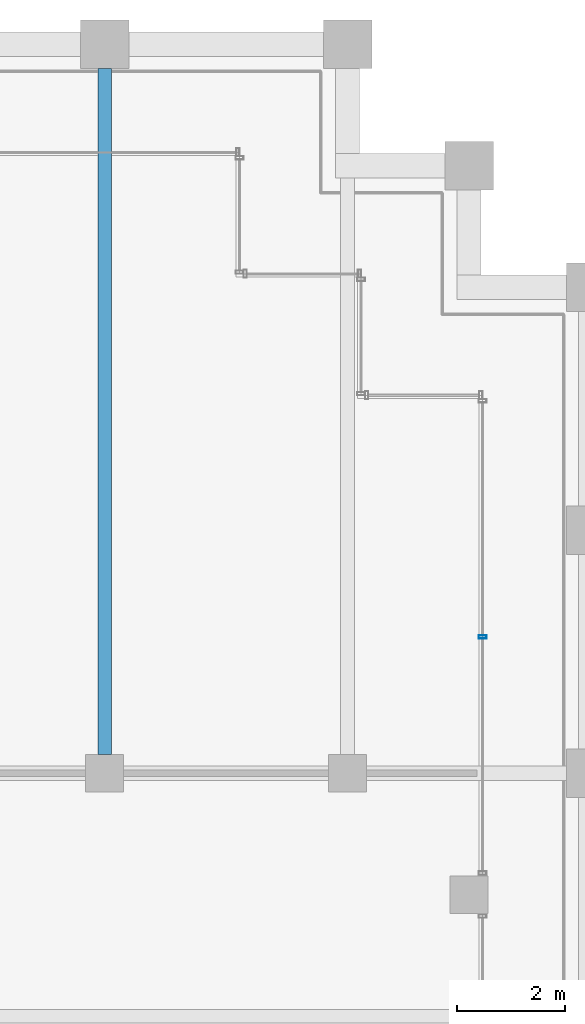
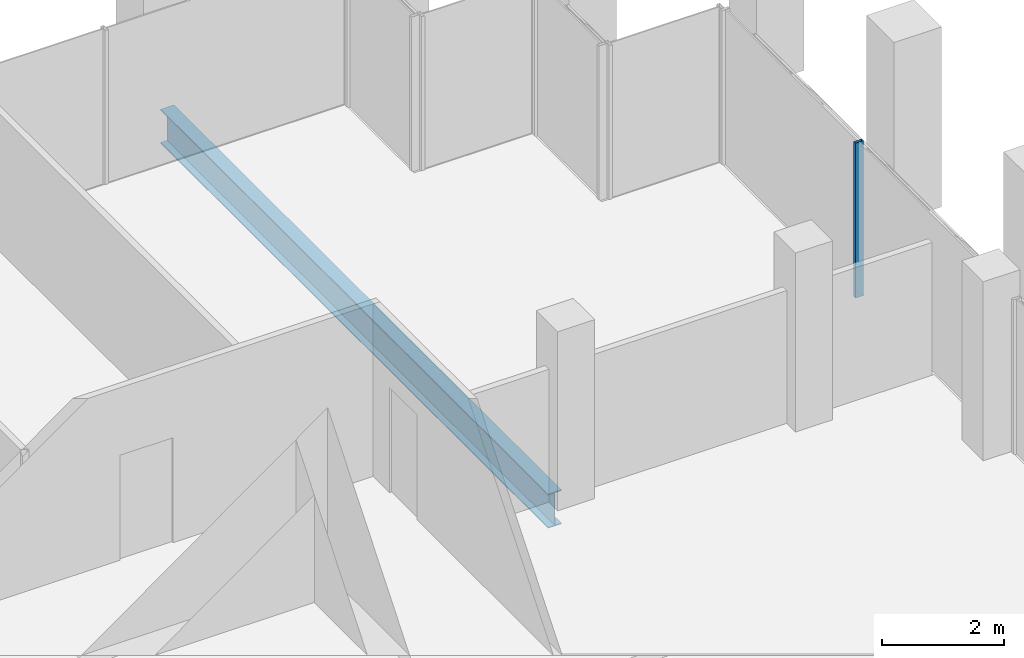
# One storey, part 24 of 40: 1 beam, 1 member, 1 element without a shape of its own.
"""IFC4 building model written with IfcOpenShell, lengths in metres."""

from ifc_helpers import new_model, si_unit, direction, frame, origin, origin_2d, place, context, subcontext, project, spatial, hollow_rectangle, i_section, extrude, material, material_profile, profile_set, type_object, element, aggregate, save


model = new_model("IFC4")

# Units and contexts
model_context = context("Model", 3, precision=1e-05, world=origin(), true_north=direction((0.0, 1.0)))
body_context = subcontext(model_context, "Body", "Model", "MODEL_VIEW")
ifc_project = project(units=[si_unit("LENGTHUNIT", "METRE"), si_unit("AREAUNIT", "SQUARE_METRE"), si_unit("VOLUMEUNIT", "CUBIC_METRE"), si_unit("PLANEANGLEUNIT", "RADIAN"), si_unit("MASSUNIT", "GRAM", prefix="KILO")], contexts=[model_context])

# Site, building, storey
site_placement = place(None, origin())
site = spatial("IfcSite", under=ifc_project, at=site_placement, CompositionType="ELEMENT")
building_placement = place(site_placement, origin())
building = spatial("IfcBuilding", under=site, at=building_placement, Name="Altepetl Exchange Towers", CompositionType="ELEMENT")
storey_placement = place(building_placement, frame((0.0, 0.0, 172.60009765625)))
storey = spatial("IfcBuildingStorey", under=building, at=storey_placement, Name="L43", CompositionType="ELEMENT", Elevation=172.60009765625)

# Beam
ifc_material_1 = material(Name="Steel S355", Category="steel")
ifc_material_profile_1 = material_profile(ifc_material_1, i_section(OverallWidth=0.25390625, OverallDepth=0.68408203125, WebThickness=0.012451171875, FlangeThickness=0.018798828125, at=origin_2d()), Name="W27X94")
ifc_profile_set_1 = profile_set([ifc_material_profile_1], Name="Steel S355")
beam_type = type_object("IfcBeamType", Name="Floor beam W27X94", PredefinedType="BEAM", material=ifc_profile_set_1)
beam_placement = place(storey_placement, frame((63.0, 58.85009765625, -0.4921875), z_axis=(0.0, 1.0, 0.0), x_axis=(-1.0, 0.0, 0.0)))
element("IfcBeam", 1, at=beam_placement, inside=storey, type_object=beam_type, Name="bm:A:L43:004", PredefinedType="BEAM", context=body_context, shape_type="SweptSolid", body=[
    extrude(i_section(OverallWidth=0.25390625, OverallDepth=0.68408203125, WebThickness=0.012451171875, FlangeThickness=0.018798828125, at=origin_2d()), origin(), (0.0, 0.0, 1.0), 12.699951171875),
])

# Curtain wall, member
ifc_material_2 = material(Name="Aluminium 6063-T6 glazing", Category="aluminium")
curtain_wall_type = type_object("IfcCurtainWallType", Name="Loggia glazing system", PredefinedType="NOTDEFINED", material=ifc_material_2)
curtain_wall_placement = place(storey_placement, origin())
curtain_wall = element("IfcCurtainWall", 2, at=curtain_wall_placement, inside=storey, type_object=curtain_wall_type, Name="CW1 run", PredefinedType="NOTDEFINED")
ifc_material_3 = material(Name="Aluminium 6063-T6", Category="aluminium")
ifc_material_profile_2 = material_profile(ifc_material_3, hollow_rectangle(XDim=0.06005859375, YDim=0.14990234375, WallThickness=0.0029296875, at=origin_2d()), Name="Mullion 60x150 aluminium")
ifc_profile_set_2 = profile_set([ifc_material_profile_2], Name="Aluminium 6063-T6")
member_type = type_object("IfcMemberType", Name="Mullion 60x150 aluminium", PredefinedType="MULLION", material=ifc_profile_set_2)
member_placement = place(storey_placement, frame((70.0, 61.0224609375, 0.0), z_axis=(0.0, 0.0, 1.0), x_axis=(0.0, 1.0, 0.0)))
member = element("IfcMember", 3, at=member_placement, type_object=member_type, Name="MU1 mullion", PredefinedType="MULLION", context=body_context, shape_type="SweptSolid", body=[
    extrude(hollow_rectangle(XDim=0.06005859375, YDim=0.14990234375, WallThickness=0.0029296875, at=origin_2d()), origin(), (0.0, 0.0, 1.0), 3.099853515625),
])
aggregate(curtain_wall, [member])

save(model, "model.ifc")
